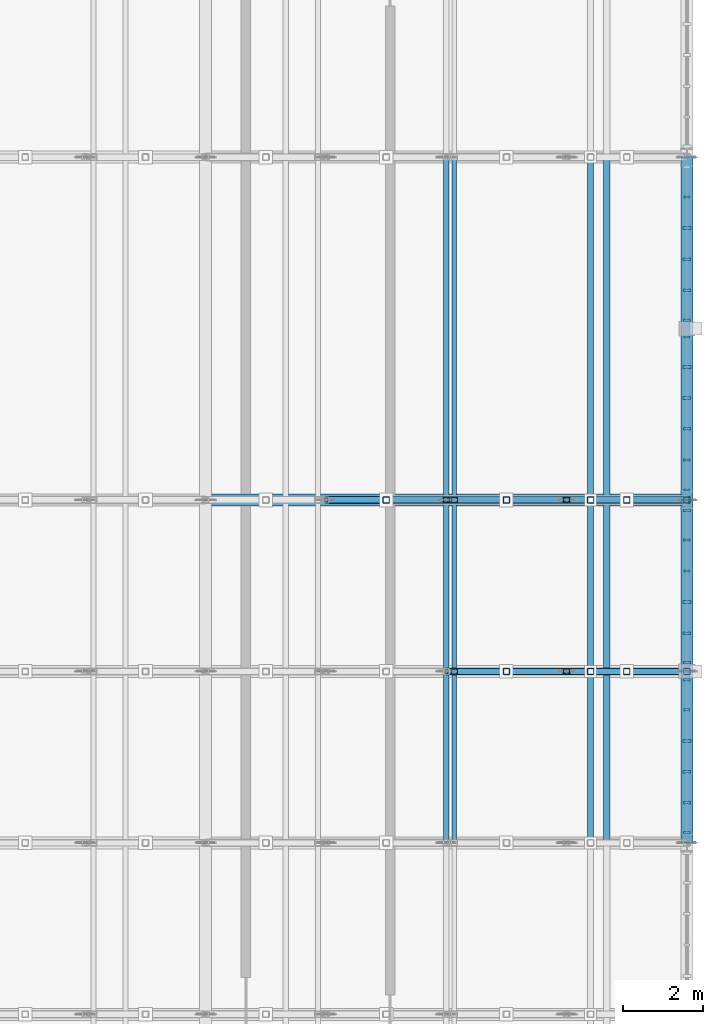
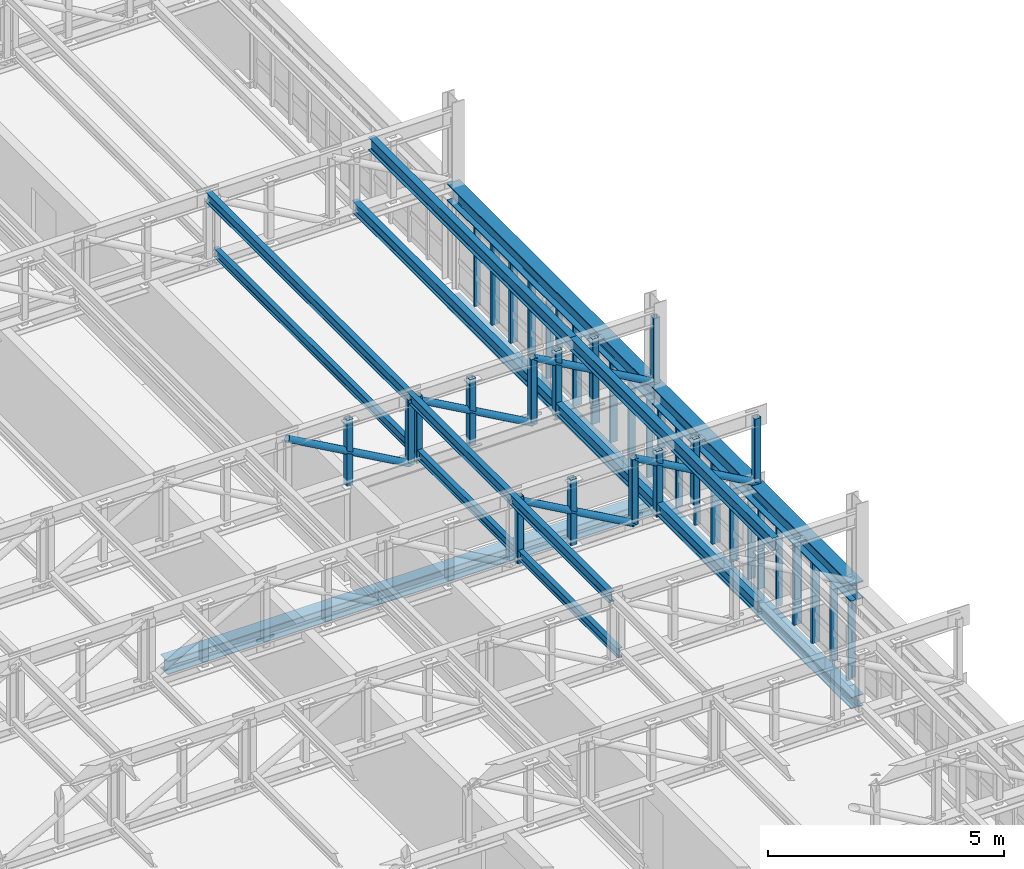
# One storey, part 51 of 128: 50 members, 5 beams, 4 elements without a shape of their own.
"""IFC4 building model written with IfcOpenShell, lengths in metres."""

from ifc_helpers import new_model, si_unit, direction, frame, origin, origin_2d, place, context, subcontext, project, spatial, rectangle, hollow_rectangle, hollow_circle, i_section, extrude, material, material_profile, profile_set, type_object, element, aggregate, save


model = new_model("IFC4")

# Units and contexts
model_context = context("Model", 3, precision=1e-05, world=origin(), true_north=direction((0.0, 1.0)))
body_context = subcontext(model_context, "Body", "Model", "MODEL_VIEW")
ifc_project = project(units=[si_unit("LENGTHUNIT", "METRE"), si_unit("AREAUNIT", "SQUARE_METRE"), si_unit("VOLUMEUNIT", "CUBIC_METRE"), si_unit("PLANEANGLEUNIT", "RADIAN"), si_unit("MASSUNIT", "GRAM", prefix="KILO")], contexts=[model_context])

# Site, building, storey
site_placement = place(None, origin())
site = spatial("IfcSite", under=ifc_project, at=site_placement, CompositionType="ELEMENT")
building_placement = place(site_placement, origin())
building = spatial("IfcBuilding", under=site, at=building_placement, Name="Serraforn Aerial Cableway Station", CompositionType="ELEMENT")
storey_placement = place(building_placement, frame((0.0, 0.0, 9.0)))
storey = spatial("IfcBuildingStorey", under=building, at=storey_placement, Name="L02", CompositionType="ELEMENT", Elevation=9.0)

# Beams
ifc_material_1 = material(Name="Steel S355J2", Category="steel")
ifc_material_profile_1 = material_profile(ifc_material_1, i_section(OverallWidth=0.300048828125, OverallDepth=0.300048828125, WebThickness=0.010986328125, FlangeThickness=0.01904296875, FilletRadius=0.027099609375, at=origin_2d()), Name="HEB 300")
ifc_profile_set_1 = profile_set([ifc_material_profile_1], Name="Steel S355J2")
beam_type_1 = type_object("IfcBeamType", Name="BM-ST-HEB300", PredefinedType="BEAM", material=ifc_profile_set_1)
beam_1_placement = place(storey_placement, frame((168.0, 79.800048828125, -0.469970703125), z_axis=(0.0, 1.0, 0.0), x_axis=(-1.0, 0.0, 0.0)))
element("IfcBeam", 1, at=beam_1_placement, inside=storey, type_object=beam_type_1, Name="Grid Girder Y EG L02 X3-5", PredefinedType="BEAM", context=body_context, shape_type="SweptSolid", body=[
    extrude(i_section(OverallWidth=0.300048828125, OverallDepth=0.300048828125, WebThickness=0.010986328125, FlangeThickness=0.01904296875, FilletRadius=0.027099609375, at=origin_2d()), origin(), (0.0, 0.0, 1.0), 8.550048828125),
])
beam_2_placement = place(storey_placement, frame((168.0, 88.35009765625, -0.469970703125), z_axis=(0.0, 1.0, 0.0), x_axis=(-1.0, 0.0, 0.0)))
element("IfcBeam", 2, at=beam_2_placement, inside=storey, type_object=beam_type_1, Name="Grid Girder Y EG L02 X3-6", PredefinedType="BEAM", context=body_context, shape_type="SweptSolid", body=[
    extrude(i_section(OverallWidth=0.300048828125, OverallDepth=0.300048828125, WebThickness=0.010986328125, FlangeThickness=0.01904296875, FilletRadius=0.027099609375, at=origin_2d()), origin(), (0.0, 0.0, 1.0), 8.5498046875),
])
ifc_material_profile_2 = material_profile(ifc_material_1, i_section(OverallWidth=0.300048828125, OverallDepth=0.360107421875, WebThickness=0.012451171875, FlangeThickness=0.0224609375, FilletRadius=0.027099609375, at=origin_2d()), Name="HEB 360")
ifc_profile_set_2 = profile_set([ifc_material_profile_2], Name="Steel S355J2")
beam_type_2 = type_object("IfcBeamType", Name="BM-ST-HEB360", PredefinedType="USERDEFINED", material=ifc_profile_set_2)
beam_3_placement = place(storey_placement, frame((156.0, 88.35009765625, -0.5), z_axis=(1.0, 0.0, 0.0), x_axis=(0.0, 1.0, 0.0)))
element("IfcBeam", 3, at=beam_3_placement, inside=storey, type_object=beam_type_2, Name="Grid Girder X EG L02 Y6-2", ObjectType="GIRDER", PredefinedType="USERDEFINED", context=body_context, shape_type="SweptSolid", body=[
    extrude(i_section(OverallWidth=0.300048828125, OverallDepth=0.360107421875, WebThickness=0.012451171875, FlangeThickness=0.0224609375, FilletRadius=0.027099609375, at=origin_2d()), origin(), (0.0, 0.0, 1.0), 12.0),
])
ifc_material_profile_3 = material_profile(ifc_material_1, i_section(OverallWidth=0.300048828125, OverallDepth=0.449951171875, WebThickness=0.013916015625, FlangeThickness=0.02587890625, FilletRadius=0.027099609375, at=origin_2d()), Name="HEB 450")
ifc_profile_set_3 = profile_set([ifc_material_profile_3], Name="Steel S355J2")
beam_type_3 = type_object("IfcBeamType", Name="BM-ST-HEB450", PredefinedType="USERDEFINED", material=ifc_profile_set_3)
beam_4_placement = place(storey_placement, frame((168.0, 79.800048828125, 2.375), z_axis=(0.0, 1.0, 0.0), x_axis=(-1.0, 0.0, 0.0)))
element("IfcBeam", 4, at=beam_4_placement, inside=storey, type_object=beam_type_3, Name="Garage Truss Support Girder E-5", ObjectType="GIRDER", PredefinedType="USERDEFINED", context=body_context, shape_type="SweptSolid", body=[
    extrude(i_section(OverallWidth=0.300048828125, OverallDepth=0.449951171875, WebThickness=0.013916015625, FlangeThickness=0.02587890625, FilletRadius=0.027099609375, at=origin_2d()), origin(), (0.0, 0.0, 1.0), 8.550048828125),
])
beam_5_placement = place(storey_placement, frame((168.0, 88.35009765625, 2.375), z_axis=(0.0, 1.0, 0.0), x_axis=(-1.0, 0.0, 0.0)))
element("IfcBeam", 5, at=beam_5_placement, inside=storey, type_object=beam_type_3, Name="Garage Truss Support Girder E-6", ObjectType="GIRDER", PredefinedType="USERDEFINED", context=body_context, shape_type="SweptSolid", body=[
    extrude(i_section(OverallWidth=0.300048828125, OverallDepth=0.449951171875, WebThickness=0.013916015625, FlangeThickness=0.02587890625, FilletRadius=0.027099609375, at=origin_2d()), origin(), (0.0, 0.0, 1.0), 8.5498046875),
])

# Curtain wall, member
ifc_material_2 = material(Name="Anodised bronze unitised curtain wall")
curtain_wall_type_1 = type_object("IfcCurtainWallType", Name="CW-SYS-5", PredefinedType="USERDEFINED", material=ifc_material_2)
curtain_wall_1_placement = place(storey_placement, origin())
curtain_wall_1 = element("IfcCurtainWall", 6, at=curtain_wall_1_placement, inside=storey, type_object=curtain_wall_type_1, Name="Unitised Curtain Wall CW-EG-L02-E5A", ObjectType="UNITISED CURTAIN WALL", PredefinedType="USERDEFINED")
ifc_material_3 = material(Name="Anodised bronze extruded aluminium", Category="aluminium")
ifc_material_profile_4 = material_profile(ifc_material_3, rectangle(XDim=0.054931640625, YDim=0.139892578125, at=origin_2d()), Name="CW MULLION 55x140")
ifc_profile_set_4 = profile_set([ifc_material_profile_4], Name="Anodised bronze extruded aluminium")
member_type_1 = type_object("IfcMemberType", Name="CW-MUL-1", PredefinedType="MULLION", material=ifc_profile_set_4)
member_1_placement = place(storey_placement, frame((168.0, 83.12060546875, 0.0), z_axis=(0.0, 0.0, 1.0), x_axis=(0.0, 1.0, 0.0)))
member_1 = element("IfcMember", 7, at=member_1_placement, type_object=member_type_1, Name="Curtain Wall Mullion CW-EG-L02-E5A-M5", PredefinedType="MULLION", context=body_context, shape_type="SweptSolid", body=[
    extrude(rectangle(XDim=0.054931640625, YDim=0.139892578125, at=origin_2d()), origin(), (0.0, 0.0, 1.0), 2.1201171875),
])

curtain_wall_type_2 = type_object("IfcCurtainWallType", Name="CW-SYS-6", PredefinedType="USERDEFINED", material=ifc_material_2)
curtain_wall_2_placement = place(storey_placement, origin())
curtain_wall_2 = element("IfcCurtainWall", 8, at=curtain_wall_2_placement, inside=storey, type_object=curtain_wall_type_2, Name="Unitised Curtain Wall CW-EG-L02-E5B", ObjectType="UNITISED CURTAIN WALL", PredefinedType="USERDEFINED")
member_2_placement = place(storey_placement, frame((168.0, 86.578125, 0.0), z_axis=(0.0, 0.0, 1.0), x_axis=(0.0, 1.0, 0.0)))
member_2 = element("IfcMember", 9, at=member_2_placement, type_object=member_type_1, Name="Curtain Wall Mullion CW-EG-L02-E5B-M4", PredefinedType="MULLION", context=body_context, shape_type="SweptSolid", body=[
    extrude(rectangle(XDim=0.054931640625, YDim=0.139892578125, at=origin_2d()), origin(), (0.0, 0.0, 1.0), 2.1201171875),
])

# Curtain wall, members
curtain_wall_type_3 = type_object("IfcCurtainWallType", Name="CW-SYS-9", PredefinedType="USERDEFINED", material=ifc_material_2)
curtain_wall_3_placement = place(storey_placement, origin())
curtain_wall_3 = element("IfcCurtainWall", 10, at=curtain_wall_3_placement, inside=storey, type_object=curtain_wall_type_3, Name="Unitised Curtain Wall CW-EG-L02-E6A", ObjectType="UNITISED CURTAIN WALL", PredefinedType="USERDEFINED")
member_3_placement = place(storey_placement, frame((168.0, 88.6005859375, 0.0), z_axis=(0.0, 0.0, 1.0), x_axis=(0.0, 1.0, 0.0)))
member_3 = element("IfcMember", 11, at=member_3_placement, type_object=member_type_1, Name="Curtain Wall Mullion CW-EG-L02-E6A-M1", PredefinedType="MULLION", context=body_context, shape_type="SweptSolid", body=[
    extrude(rectangle(XDim=0.054931640625, YDim=0.139892578125, at=origin_2d()), origin(), (0.0, 0.0, 1.0), 2.1201171875),
])
member_4_placement = place(storey_placement, frame((168.0, 92.41748046875, 0.0), z_axis=(0.0, 0.0, 1.0), x_axis=(0.0, 1.0, 0.0)))
member_4 = element("IfcMember", 12, at=member_4_placement, type_object=member_type_1, Name="Curtain Wall Mullion CW-EG-L02-E6A-M6", PredefinedType="MULLION", context=body_context, shape_type="SweptSolid", body=[
    extrude(rectangle(XDim=0.054931640625, YDim=0.139892578125, at=origin_2d()), origin(), (0.0, 0.0, 1.0), 2.1201171875),
])

# Curtain wall, member
curtain_wall_type_4 = type_object("IfcCurtainWallType", Name="CW-SYS-10", PredefinedType="USERDEFINED", material=ifc_material_2)
curtain_wall_4_placement = place(storey_placement, origin())
curtain_wall_4 = element("IfcCurtainWall", 13, at=curtain_wall_4_placement, inside=storey, type_object=curtain_wall_type_4, Name="Unitised Curtain Wall CW-EG-L02-E6B", ObjectType="UNITISED CURTAIN WALL", PredefinedType="USERDEFINED")
member_5_placement = place(storey_placement, frame((168.0, 95.902587890625, 0.0), z_axis=(0.0, 0.0, 1.0), x_axis=(0.0, 1.0, 0.0)))
member_5 = element("IfcMember", 14, at=member_5_placement, type_object=member_type_1, Name="Curtain Wall Mullion CW-EG-L02-E6B-M5", PredefinedType="MULLION", context=body_context, shape_type="SweptSolid", body=[
    extrude(rectangle(XDim=0.054931640625, YDim=0.139892578125, at=origin_2d()), origin(), (0.0, 0.0, 1.0), 2.1201171875),
])

# Member
ifc_material_profile_5 = material_profile(ifc_material_3, rectangle(XDim=0.06005859375, YDim=0.159912109375, at=origin_2d()), Name="CW MULLION 60x160")
ifc_profile_set_5 = profile_set([ifc_material_profile_5], Name="Anodised bronze extruded aluminium")
member_type_2 = type_object("IfcMemberType", Name="CW-MUL-2", PredefinedType="MULLION", material=ifc_profile_set_5)
member_6_placement = place(storey_placement, frame((168.0, 80.052978515625, 0.0), z_axis=(0.0, 0.0, 1.0), x_axis=(0.0, 1.0, 0.0)))
member_6 = element("IfcMember", 15, at=member_6_placement, type_object=member_type_2, Name="Curtain Wall Mullion CW-EG-L02-E5A-M1", PredefinedType="MULLION", context=body_context, shape_type="SweptSolid", body=[
    extrude(rectangle(XDim=0.06005859375, YDim=0.159912109375, at=origin_2d()), origin(), (0.0, 0.0, 1.0), 2.1201171875),
])

member_7_placement = place(storey_placement, frame((168.0, 83.864990234375, 0.0), z_axis=(0.0, 0.0, 1.0), x_axis=(0.0, 1.0, 0.0)))
member_7 = element("IfcMember", 16, at=member_7_placement, type_object=member_type_2, Name="Curtain Wall Mullion CW-EG-L02-E5A-M6", PredefinedType="MULLION", context=body_context, shape_type="SweptSolid", body=[
    extrude(rectangle(XDim=0.06005859375, YDim=0.159912109375, at=origin_2d()), origin(), (0.0, 0.0, 1.0), 2.1201171875),
])

member_8_placement = place(storey_placement, frame((168.0, 87.3525390625, 0.0), z_axis=(0.0, 0.0, 1.0), x_axis=(0.0, 1.0, 0.0)))
member_8 = element("IfcMember", 17, at=member_8_placement, type_object=member_type_2, Name="Curtain Wall Mullion CW-EG-L02-E5B-M5", PredefinedType="MULLION", context=body_context, shape_type="SweptSolid", body=[
    extrude(rectangle(XDim=0.06005859375, YDim=0.159912109375, at=origin_2d()), origin(), (0.0, 0.0, 1.0), 2.1201171875),
])

member_9_placement = place(storey_placement, frame((168.0, 89.347412109375, 0.0), z_axis=(0.0, 0.0, 1.0), x_axis=(0.0, 1.0, 0.0)))
member_9 = element("IfcMember", 18, at=member_9_placement, type_object=member_type_2, Name="Curtain Wall Mullion CW-EG-L02-E6A-M2", PredefinedType="MULLION", context=body_context, shape_type="SweptSolid", body=[
    extrude(rectangle(XDim=0.06005859375, YDim=0.159912109375, at=origin_2d()), origin(), (0.0, 0.0, 1.0), 2.1201171875),
])

member_10_placement = place(storey_placement, frame((168.0, 92.8349609375, 0.0), z_axis=(0.0, 0.0, 1.0), x_axis=(0.0, 1.0, 0.0)))
member_10 = element("IfcMember", 19, at=member_10_placement, type_object=member_type_2, Name="Curtain Wall Mullion CW-EG-L02-E6B-M1", PredefinedType="MULLION", context=body_context, shape_type="SweptSolid", body=[
    extrude(rectangle(XDim=0.06005859375, YDim=0.159912109375, at=origin_2d()), origin(), (0.0, 0.0, 1.0), 2.1201171875),
])

ifc_material_profile_6 = material_profile(ifc_material_3, rectangle(XDim=0.06494140625, YDim=0.175048828125, at=origin_2d()), Name="CW MULLION 65x175")
ifc_profile_set_6 = profile_set([ifc_material_profile_6], Name="Anodised bronze extruded aluminium")
member_type_3 = type_object("IfcMemberType", Name="CW-MUL-3", PredefinedType="MULLION", material=ifc_profile_set_6)
member_11_placement = place(storey_placement, frame((168.0, 80.79736328125, 0.0), z_axis=(0.0, 0.0, 1.0), x_axis=(0.0, 1.0, 0.0)))
member_11 = element("IfcMember", 20, at=member_11_placement, type_object=member_type_3, Name="Curtain Wall Mullion CW-EG-L02-E5A-M2", PredefinedType="MULLION", context=body_context, shape_type="SweptSolid", body=[
    extrude(rectangle(XDim=0.06494140625, YDim=0.175048828125, at=origin_2d()), origin(), (0.0, 0.0, 1.0), 2.1201171875),
])

member_12_placement = place(storey_placement, frame((168.0, 84.28759765625, 0.0), z_axis=(0.0, 0.0, 1.0), x_axis=(0.0, 1.0, 0.0)))
member_12 = element("IfcMember", 21, at=member_12_placement, type_object=member_type_3, Name="Curtain Wall Mullion CW-EG-L02-E5B-M1", PredefinedType="MULLION", context=body_context, shape_type="SweptSolid", body=[
    extrude(rectangle(XDim=0.06494140625, YDim=0.175048828125, at=origin_2d()), origin(), (0.0, 0.0, 1.0), 2.1201171875),
])

member_13_placement = place(storey_placement, frame((168.0, 88.094482421875, 0.0), z_axis=(0.0, 0.0, 1.0), x_axis=(0.0, 1.0, 0.0)))
member_13 = element("IfcMember", 22, at=member_13_placement, type_object=member_type_3, Name="Curtain Wall Mullion CW-EG-L02-E5B-M6", PredefinedType="MULLION", context=body_context, shape_type="SweptSolid", body=[
    extrude(rectangle(XDim=0.06494140625, YDim=0.175048828125, at=origin_2d()), origin(), (0.0, 0.0, 1.0), 2.1201171875),
])

member_14_placement = place(storey_placement, frame((168.0, 90.121826171875, 0.0), z_axis=(0.0, 0.0, 1.0), x_axis=(0.0, 1.0, 0.0)))
member_14 = element("IfcMember", 23, at=member_14_placement, type_object=member_type_3, Name="Curtain Wall Mullion CW-EG-L02-E6A-M3", PredefinedType="MULLION", context=body_context, shape_type="SweptSolid", body=[
    extrude(rectangle(XDim=0.06494140625, YDim=0.175048828125, at=origin_2d()), origin(), (0.0, 0.0, 1.0), 2.1201171875),
])

member_15_placement = place(storey_placement, frame((168.0, 93.579345703125, 0.0), z_axis=(0.0, 0.0, 1.0), x_axis=(0.0, 1.0, 0.0)))
member_15 = element("IfcMember", 24, at=member_15_placement, type_object=member_type_3, Name="Curtain Wall Mullion CW-EG-L02-E6B-M2", PredefinedType="MULLION", context=body_context, shape_type="SweptSolid", body=[
    extrude(rectangle(XDim=0.06494140625, YDim=0.175048828125, at=origin_2d()), origin(), (0.0, 0.0, 1.0), 2.1201171875),
])

ifc_material_profile_7 = material_profile(ifc_material_3, rectangle(XDim=0.070068359375, YDim=0.18994140625, at=origin_2d()), Name="CW MULLION 70x190")
ifc_profile_set_7 = profile_set([ifc_material_profile_7], Name="Anodised bronze extruded aluminium")
member_type_4 = type_object("IfcMemberType", Name="CW-MUL-4", PredefinedType="MULLION", material=ifc_profile_set_7)
member_16_placement = place(storey_placement, frame((168.0, 81.57177734375, 0.0), z_axis=(0.0, 0.0, 1.0), x_axis=(0.0, 1.0, 0.0)))
member_16 = element("IfcMember", 25, at=member_16_placement, type_object=member_type_4, Name="Curtain Wall Mullion CW-EG-L02-E5A-M3", PredefinedType="MULLION", context=body_context, shape_type="SweptSolid", body=[
    extrude(rectangle(XDim=0.070068359375, YDim=0.18994140625, at=origin_2d()), origin(), (0.0, 0.0, 1.0), 2.1201171875),
])

member_17_placement = place(storey_placement, frame((168.0, 85.029296875, 0.0), z_axis=(0.0, 0.0, 1.0), x_axis=(0.0, 1.0, 0.0)))
member_17 = element("IfcMember", 26, at=member_17_placement, type_object=member_type_4, Name="Curtain Wall Mullion CW-EG-L02-E5B-M2", PredefinedType="MULLION", context=body_context, shape_type="SweptSolid", body=[
    extrude(rectangle(XDim=0.070068359375, YDim=0.18994140625, at=origin_2d()), origin(), (0.0, 0.0, 1.0), 2.1201171875),
])

member_18_placement = place(storey_placement, frame((168.0, 90.896240234375, 0.0), z_axis=(0.0, 0.0, 1.0), x_axis=(0.0, 1.0, 0.0)))
member_18 = element("IfcMember", 27, at=member_18_placement, type_object=member_type_4, Name="Curtain Wall Mullion CW-EG-L02-E6A-M4", PredefinedType="MULLION", context=body_context, shape_type="SweptSolid", body=[
    extrude(rectangle(XDim=0.070068359375, YDim=0.18994140625, at=origin_2d()), origin(), (0.0, 0.0, 1.0), 2.1201171875),
])

member_19_placement = place(storey_placement, frame((168.0, 94.353759765625, 0.0), z_axis=(0.0, 0.0, 1.0), x_axis=(0.0, 1.0, 0.0)))
member_19 = element("IfcMember", 28, at=member_19_placement, type_object=member_type_4, Name="Curtain Wall Mullion CW-EG-L02-E6B-M3", PredefinedType="MULLION", context=body_context, shape_type="SweptSolid", body=[
    extrude(rectangle(XDim=0.070068359375, YDim=0.18994140625, at=origin_2d()), origin(), (0.0, 0.0, 1.0), 2.1201171875),
])

ifc_material_profile_8 = material_profile(ifc_material_3, rectangle(XDim=0.074951171875, YDim=0.199951171875, at=origin_2d()), Name="CW MULLION 75x200")
ifc_profile_set_8 = profile_set([ifc_material_profile_8], Name="Anodised bronze extruded aluminium")
member_type_5 = type_object("IfcMemberType", Name="CW-MUL-5", PredefinedType="MULLION", material=ifc_profile_set_8)
member_20_placement = place(storey_placement, frame((168.0, 82.34619140625, 0.0), z_axis=(0.0, 0.0, 1.0), x_axis=(0.0, 1.0, 0.0)))
member_20 = element("IfcMember", 29, at=member_20_placement, type_object=member_type_5, Name="Curtain Wall Mullion CW-EG-L02-E5A-M4", PredefinedType="MULLION", context=body_context, shape_type="SweptSolid", body=[
    extrude(rectangle(XDim=0.074951171875, YDim=0.199951171875, at=origin_2d()), origin(), (0.0, 0.0, 1.0), 2.1201171875),
])

aggregate(curtain_wall_1, [member_6, member_11, member_16, member_20, member_1, member_7])

member_21_placement = place(storey_placement, frame((168.0, 85.8037109375, 0.0), z_axis=(0.0, 0.0, 1.0), x_axis=(0.0, 1.0, 0.0)))
member_21 = element("IfcMember", 30, at=member_21_placement, type_object=member_type_5, Name="Curtain Wall Mullion CW-EG-L02-E5B-M3", PredefinedType="MULLION", context=body_context, shape_type="SweptSolid", body=[
    extrude(rectangle(XDim=0.074951171875, YDim=0.199951171875, at=origin_2d()), origin(), (0.0, 0.0, 1.0), 2.1201171875),
])

aggregate(curtain_wall_2, [member_12, member_17, member_21, member_2, member_8, member_13])

member_22_placement = place(storey_placement, frame((168.0, 91.670654296875, 0.0), z_axis=(0.0, 0.0, 1.0), x_axis=(0.0, 1.0, 0.0)))
member_22 = element("IfcMember", 31, at=member_22_placement, type_object=member_type_5, Name="Curtain Wall Mullion CW-EG-L02-E6A-M5", PredefinedType="MULLION", context=body_context, shape_type="SweptSolid", body=[
    extrude(rectangle(XDim=0.074951171875, YDim=0.199951171875, at=origin_2d()), origin(), (0.0, 0.0, 1.0), 2.1201171875),
])

aggregate(curtain_wall_3, [member_3, member_9, member_14, member_18, member_22, member_4])

member_23_placement = place(storey_placement, frame((168.0, 95.128173828125, 0.0), z_axis=(0.0, 0.0, 1.0), x_axis=(0.0, 1.0, 0.0)))
member_23 = element("IfcMember", 32, at=member_23_placement, type_object=member_type_5, Name="Curtain Wall Mullion CW-EG-L02-E6B-M4", PredefinedType="MULLION", context=body_context, shape_type="SweptSolid", body=[
    extrude(rectangle(XDim=0.074951171875, YDim=0.199951171875, at=origin_2d()), origin(), (0.0, 0.0, 1.0), 2.1201171875),
])

aggregate(curtain_wall_4, [member_10, member_15, member_19, member_23, member_5])

# Members
ifc_material_profile_9 = material_profile(ifc_material_1, hollow_circle(Radius=0.084228515625, WallThickness=0.008056640625, at=origin_2d()), Name="CHS 168.3x8.0")
ifc_profile_set_9 = profile_set([ifc_material_profile_9], Name="Steel S355J2")
member_type_6 = type_object("IfcMemberType", Name="MEM-DG-CHS168", PredefinedType="BRACE", material=ifc_profile_set_9)
for number, where, z_axis, x_axis, name in (
    (33, (162.0, 84.074951171875, 4.2900390625), (0.871272396707, 0.0, -0.490799766439), (0.0, 1.0, 0.0), "Garage Truss GT-08 Diagonal 7"),
    (34, (165.0, 84.074951171875, 4.2900390625), (0.871272396707, 0.0, -0.490799766439), (0.0, 1.0, 0.0), "Garage Truss GT-08 Diagonal 8"),
    (35, (159.0, 88.35009765625, 4.2900390625), (0.871272396707, 0.0, -0.490799766439), (0.0, 1.0, 0.0), "Garage Truss GT-09 Diagonal 6"),
    (36, (162.0, 88.35009765625, 4.2900390625), (0.871272396707, 0.0, -0.490799766439), (0.0, 1.0, 0.0), "Garage Truss GT-09 Diagonal 7"),
    (37, (165.0, 88.35009765625, 4.2900390625), (0.871272396707, 0.0, -0.490799766439), (0.0, 1.0, 0.0), "Garage Truss GT-09 Diagonal 8"),
):
    element("IfcMember", number, at=place(storey_placement, frame(where, z_axis=z_axis, x_axis=x_axis)), inside=storey, type_object=member_type_6, Name=name, PredefinedType="BRACE", context=body_context, shape_type="SweptSolid", body=[
        extrude(hollow_circle(Radius=0.084228515625, WallThickness=0.008056640625, at=origin_2d()), origin(), (0.0, 0.0, 1.0), 3.443359375),
    ])
ifc_material_4 = material(Name="Steel S355JR", Category="steel")
ifc_material_profile_10 = material_profile(ifc_material_4, i_section(OverallWidth=0.135009765625, OverallDepth=0.27001953125, WebThickness=0.006591796875, FlangeThickness=0.01025390625, FilletRadius=0.014892578125, at=origin_2d()), Name="IPE 270")
ifc_profile_set_10 = profile_set([ifc_material_profile_10], Name="Steel S355JR")
member_type_7 = type_object("IfcMemberType", Name="MEM-PR-IPE270", PredefinedType="PURLIN", material=ifc_profile_set_10)
member_24_placement = place(storey_placement, frame((162.0, 79.800048828125, 4.3349609375), z_axis=(0.0, 1.0, 0.0), x_axis=(-1.0, 0.0, 0.0)))
element("IfcMember", 38, at=member_24_placement, inside=storey, type_object=member_type_7, Name="Fleet Garage Roof Purlin 5-5", PredefinedType="PURLIN", context=body_context, shape_type="SweptSolid", body=[
    extrude(i_section(OverallWidth=0.135009765625, OverallDepth=0.27001953125, WebThickness=0.006591796875, FlangeThickness=0.01025390625, FilletRadius=0.014892578125, at=origin_2d()), origin(), (0.0, 0.0, 1.0), 8.550048828125),
])
member_25_placement = place(storey_placement, frame((162.0, 88.35009765625, 4.3349609375), z_axis=(0.0, 1.0, 0.0), x_axis=(-1.0, 0.0, 0.0)))
element("IfcMember", 39, at=member_25_placement, inside=storey, type_object=member_type_7, Name="Fleet Garage Roof Purlin 6-5", PredefinedType="PURLIN", context=body_context, shape_type="SweptSolid", body=[
    extrude(i_section(OverallWidth=0.135009765625, OverallDepth=0.27001953125, WebThickness=0.006591796875, FlangeThickness=0.01025390625, FilletRadius=0.014892578125, at=origin_2d()), origin(), (0.0, 0.0, 1.0), 8.5498046875),
])
ifc_material_profile_11 = material_profile(ifc_material_4, i_section(OverallWidth=0.159912109375, OverallDepth=0.330078125, WebThickness=0.007568359375, FlangeThickness=0.011474609375, FilletRadius=0.01806640625, at=origin_2d()), Name="IPE 330")
ifc_profile_set_11 = profile_set([ifc_material_profile_11], Name="Steel S355JR")
member_type_8 = type_object("IfcMemberType", Name="MEM-PR-IPE330", PredefinedType="PURLIN", material=ifc_profile_set_11)
member_26_placement = place(storey_placement, frame((166.0, 79.800048828125, 4.304931640625), z_axis=(0.0, 1.0, 0.0), x_axis=(-1.0, 0.0, 0.0)))
element("IfcMember", 40, at=member_26_placement, inside=storey, type_object=member_type_8, Name="Fleet Garage Roof Purlin 5-6", PredefinedType="PURLIN", context=body_context, shape_type="SweptSolid", body=[
    extrude(i_section(OverallWidth=0.159912109375, OverallDepth=0.330078125, WebThickness=0.007568359375, FlangeThickness=0.011474609375, FilletRadius=0.01806640625, at=origin_2d()), origin(), (0.0, 0.0, 1.0), 8.550048828125),
])
member_27_placement = place(storey_placement, frame((166.0, 88.35009765625, 4.304931640625), z_axis=(0.0, 1.0, 0.0), x_axis=(-1.0, 0.0, 0.0)))
element("IfcMember", 41, at=member_27_placement, inside=storey, type_object=member_type_8, Name="Fleet Garage Roof Purlin 6-6", PredefinedType="PURLIN", context=body_context, shape_type="SweptSolid", body=[
    extrude(i_section(OverallWidth=0.159912109375, OverallDepth=0.330078125, WebThickness=0.007568359375, FlangeThickness=0.011474609375, FilletRadius=0.01806640625, at=origin_2d()), origin(), (0.0, 0.0, 1.0), 8.5498046875),
])
ifc_material_profile_12 = material_profile(ifc_material_1, i_section(OverallWidth=0.1201171875, OverallDepth=0.239990234375, WebThickness=0.006103515625, FlangeThickness=0.009765625, FilletRadius=0.014892578125, at=origin_2d()), Name="IPE 240")
ifc_profile_set_12 = profile_set([ifc_material_profile_12], Name="Steel S355J2")
member_type_9 = type_object("IfcMemberType", Name="MEM-RL-IPE240", PredefinedType="USERDEFINED", material=ifc_profile_set_12)
member_28_placement = place(storey_placement, frame((162.199951171875, 79.800048828125, 2.820068359375), z_axis=(0.0, 1.0, 0.0), x_axis=(-1.0, 0.0, 0.0)))
element("IfcMember", 42, at=member_28_placement, inside=storey, type_object=member_type_9, Name="Overhead Cabin Storage Track Rail 5-4", ObjectType="OVERHEAD TRACK RAIL", PredefinedType="USERDEFINED", context=body_context, shape_type="SweptSolid", body=[
    extrude(i_section(OverallWidth=0.1201171875, OverallDepth=0.239990234375, WebThickness=0.006103515625, FlangeThickness=0.009765625, FilletRadius=0.014892578125, at=origin_2d()), origin(), (0.0, 0.0, 1.0), 8.550048828125),
])
member_29_placement = place(storey_placement, frame((162.199951171875, 88.35009765625, 2.820068359375), z_axis=(0.0, 1.0, 0.0), x_axis=(-1.0, 0.0, 0.0)))
element("IfcMember", 43, at=member_29_placement, inside=storey, type_object=member_type_9, Name="Overhead Cabin Storage Track Rail 5-5", ObjectType="OVERHEAD TRACK RAIL", PredefinedType="USERDEFINED", context=body_context, shape_type="SweptSolid", body=[
    extrude(i_section(OverallWidth=0.1201171875, OverallDepth=0.239990234375, WebThickness=0.006103515625, FlangeThickness=0.009765625, FilletRadius=0.014892578125, at=origin_2d()), origin(), (0.0, 0.0, 1.0), 8.5498046875),
])
ifc_material_profile_13 = material_profile(ifc_material_1, i_section(OverallWidth=0.14990234375, OverallDepth=0.300048828125, WebThickness=0.007080078125, FlangeThickness=0.0107421875, FilletRadius=0.014892578125, at=origin_2d()), Name="IPE 300")
ifc_profile_set_13 = profile_set([ifc_material_profile_13], Name="Steel S355J2")
member_type_10 = type_object("IfcMemberType", Name="MEM-RL-IPE300", PredefinedType="USERDEFINED", material=ifc_profile_set_13)
member_30_placement = place(storey_placement, frame((165.60009765625, 79.800048828125, 2.820068359375), z_axis=(0.0, 1.0, 0.0), x_axis=(-1.0, 0.0, 0.0)))
element("IfcMember", 44, at=member_30_placement, inside=storey, type_object=member_type_10, Name="Overhead Cabin Storage Track Rail 6-4", ObjectType="OVERHEAD TRACK RAIL", PredefinedType="USERDEFINED", context=body_context, shape_type="SweptSolid", body=[
    extrude(i_section(OverallWidth=0.14990234375, OverallDepth=0.300048828125, WebThickness=0.007080078125, FlangeThickness=0.0107421875, FilletRadius=0.014892578125, at=origin_2d()), origin(), (0.0, 0.0, 1.0), 8.550048828125),
])
member_31_placement = place(storey_placement, frame((165.60009765625, 88.35009765625, 2.820068359375), z_axis=(0.0, 1.0, 0.0), x_axis=(-1.0, 0.0, 0.0)))
element("IfcMember", 45, at=member_31_placement, inside=storey, type_object=member_type_10, Name="Overhead Cabin Storage Track Rail 6-5", ObjectType="OVERHEAD TRACK RAIL", PredefinedType="USERDEFINED", context=body_context, shape_type="SweptSolid", body=[
    extrude(i_section(OverallWidth=0.14990234375, OverallDepth=0.300048828125, WebThickness=0.007080078125, FlangeThickness=0.0107421875, FilletRadius=0.014892578125, at=origin_2d()), origin(), (0.0, 0.0, 1.0), 8.5498046875),
])
ifc_material_profile_14 = material_profile(ifc_material_1, hollow_rectangle(XDim=0.159912109375, YDim=0.159912109375, WallThickness=0.008056640625, InnerFilletRadius=0.008056640625, OuterFilletRadius=0.01611328125, at=origin_2d()), Name="SHS 160x160x8.0")
ifc_profile_set_14 = profile_set([ifc_material_profile_14], Name="Steel S355J2")
member_type_11 = type_object("IfcMemberType", Name="MEM-VP-SHS160", PredefinedType="STRUT", material=ifc_profile_set_14)
for number, where, z_axis, x_axis, name in (
    (46, (165.0, 84.074951171875, 2.590087890625), (0.0, 0.0, 1.0), (1.0, 0.0, 0.0), "Garage Truss GT-08 Post 8"),
    (47, (168.0, 84.074951171875, 2.590087890625), (0.0, 0.0, 1.0), (1.0, 0.0, 0.0), "Garage Truss GT-08 Post 9"),
    (48, (162.0, 88.35009765625, 2.590087890625), (0.0, 0.0, 1.0), (1.0, 0.0, 0.0), "Garage Truss GT-09 Post 7"),
    (49, (165.0, 88.35009765625, 2.590087890625), (0.0, 0.0, 1.0), (1.0, 0.0, 0.0), "Garage Truss GT-09 Post 8"),
    (50, (168.0, 88.35009765625, 2.590087890625), (0.0, 0.0, 1.0), (1.0, 0.0, 0.0), "Garage Truss GT-09 Post 9"),
    (51, (162.199951171875, 84.074951171875, 2.590087890625), (0.0, 0.0, 1.0), (1.0, 0.0, 0.0), "Overhead Rail Suspension Post 041"),
    (52, (165.60009765625, 84.074951171875, 2.590087890625), (0.0, 0.0, 1.0), (1.0, 0.0, 0.0), "Overhead Rail Suspension Post 042"),
    (53, (162.199951171875, 88.35009765625, 2.590087890625), (0.0, 0.0, 1.0), (1.0, 0.0, 0.0), "Overhead Rail Suspension Post 047"),
    (54, (165.60009765625, 88.35009765625, 2.590087890625), (0.0, 0.0, 1.0), (1.0, 0.0, 0.0), "Overhead Rail Suspension Post 048"),
    (55, (163.5, 84.074951171875, 2.590087890625), (0.0, 0.0, 1.0), (1.0, 0.0, 0.0), "Garage Truss GT-08 Sub-Vertical 7"),
    (56, (166.5, 84.074951171875, 2.590087890625), (0.0, 0.0, 1.0), (1.0, 0.0, 0.0), "Garage Truss GT-08 Sub-Vertical 8"),
    (57, (160.5, 88.35009765625, 2.590087890625), (0.0, 0.0, 1.0), (1.0, 0.0, 0.0), "Garage Truss GT-09 Sub-Vertical 6"),
    (58, (163.5, 88.35009765625, 2.590087890625), (0.0, 0.0, 1.0), (1.0, 0.0, 0.0), "Garage Truss GT-09 Sub-Vertical 7"),
    (59, (166.5, 88.35009765625, 2.590087890625), (0.0, 0.0, 1.0), (1.0, 0.0, 0.0), "Garage Truss GT-09 Sub-Vertical 8"),
):
    element("IfcMember", number, at=place(storey_placement, frame(where, z_axis=z_axis, x_axis=x_axis)), inside=storey, type_object=member_type_11, Name=name, PredefinedType="STRUT", context=body_context, shape_type="SweptSolid", body=[
        extrude(hollow_rectangle(XDim=0.159912109375, YDim=0.159912109375, WallThickness=0.008056640625, InnerFilletRadius=0.008056640625, OuterFilletRadius=0.01611328125, at=origin_2d()), origin(), (0.0, 0.0, 1.0), 1.7099609375),
    ])

save(model, "model.ifc")
